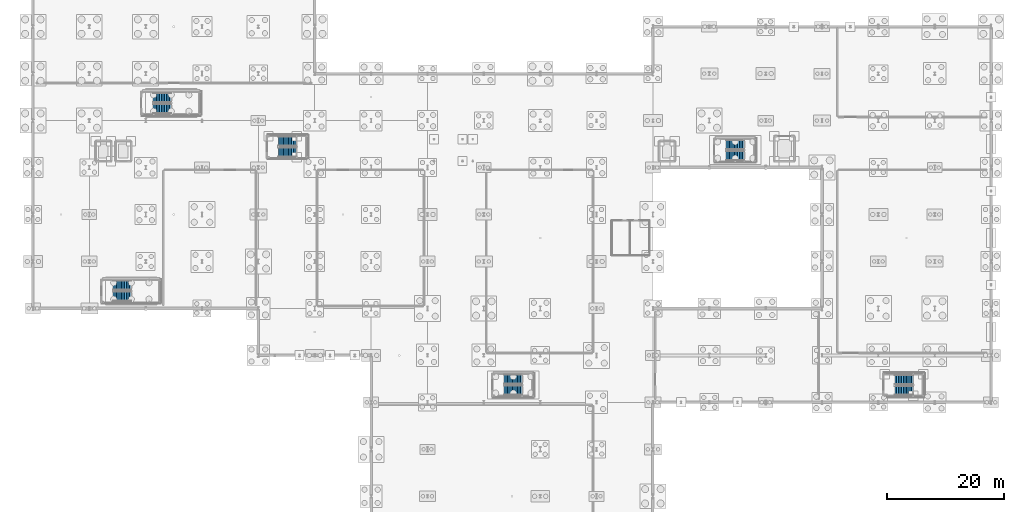
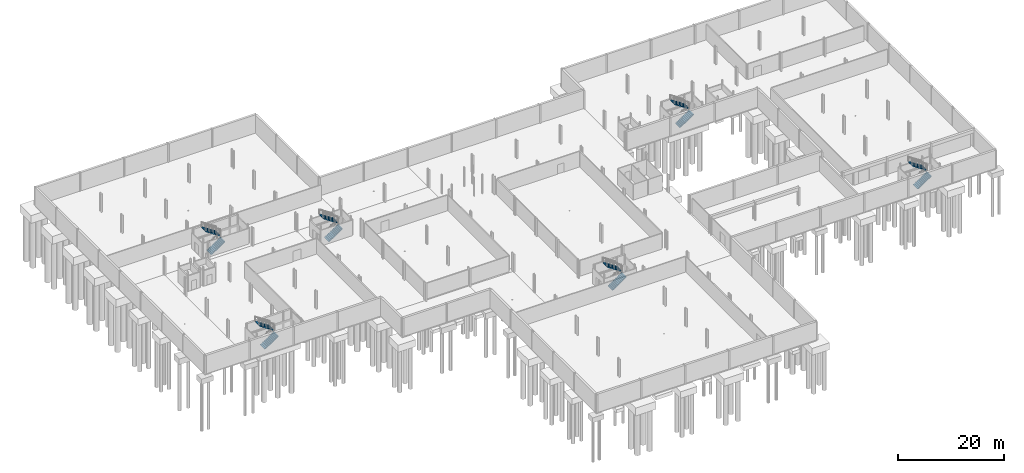
# One storey, part 41 of 47: 12 stair flights, 6 elements without a shape of their own.
"""IFC4 building model written with IfcOpenShell, lengths in metres."""

from ifc_helpers import new_model, si_unit, direction, frame, origin, place, context, subcontext, project, spatial, polyline, outline, extrude, material, type_object, element, aggregate, save


model = new_model("IFC4")

# Units and contexts
model_context = context("Model", 3, precision=1e-05, world=origin(), true_north=direction((0.0, 1.0)))
body_context = subcontext(model_context, "Body", "Model", "MODEL_VIEW")
ifc_project = project(units=[si_unit("LENGTHUNIT", "METRE"), si_unit("AREAUNIT", "SQUARE_METRE"), si_unit("VOLUMEUNIT", "CUBIC_METRE"), si_unit("PLANEANGLEUNIT", "RADIAN"), si_unit("MASSUNIT", "GRAM", prefix="KILO")], contexts=[model_context])

# Site, building, storey
site_placement = place(None, origin())
site = spatial("IfcSite", under=ifc_project, at=site_placement, CompositionType="ELEMENT")
building_placement = place(site_placement, origin())
building = spatial("IfcBuilding", under=site, at=building_placement, Name="Alderhovde Museum", CompositionType="ELEMENT")
storey_placement = place(building_placement, frame((0.0, 0.0, -4.5)))
storey = spatial("IfcBuildingStorey", under=building, at=storey_placement, Name="B1", CompositionType="ELEMENT", Elevation=-4.5)

# Stair, stair flights
ifc_material_1 = material(Name="Concrete C35/45", Category="concrete")
stair_type = type_object("IfcStairType", Name="STR-1500-4500", PredefinedType="HALF_TURN_STAIR", material=ifc_material_1)
stair_1_placement = place(storey_placement, origin())
stair_1 = element("IfcStair", 1, at=stair_1_placement, inside=storey, type_object=stair_type, Name="B1 Escape Stair ST1", PredefinedType="HALF_TURN_STAIR")
ifc_material_2 = material(Name="Concrete C35/45", Category="concrete")
stair_flight_type = type_object("IfcStairFlightType", Name="STF-1500-4500", PredefinedType="STRAIGHT", material=ifc_material_2)
stair_flight_1_placement = place(storey_placement, frame((23.280029296875, 50.0400390625, 0.0), z_axis=(0.0, 0.0, 1.0), x_axis=(1.0, 0.0, 0.0)))
stair_flight_1 = element("IfcStairFlight", 2, at=stair_flight_1_placement, type_object=stair_flight_type, Name="ST1 flight 1", NumberOfRisers=12, NumberOfTreads=11, PredefinedType="STRAIGHT", RiserHeight=0.1875, TreadLength=0.28, context=body_context, shape_type="SweptSolid", body=[
    extrude(outline(polyline([(0.0, 0.0), (0.0, 0.1875), (0.280029296875, 0.1875), (0.280029296875, 0.375), (0.56005859375, 0.375), (0.56005859375, 0.5625), (0.840087890625, 0.5625), (0.840087890625, 0.75), (1.1201171875, 0.75), (1.1201171875, 0.9375), (1.39990234375, 0.9375), (1.39990234375, 1.125), (1.679931640625, 1.125), (1.679931640625, 1.3125), (1.9599609375, 1.3125), (1.9599609375, 1.5), (2.239990234375, 1.5), (2.239990234375, 1.6875), (2.52001953125, 1.6875), (2.52001953125, 1.875), (2.800048828125, 1.875), (2.800048828125, 2.0625), (3.080078125, 2.0625), (3.080078125, 2.25), (3.080078125, 1.882080078125), (0.26953125, 0.0), (0.0, 0.0)])), frame((0.0, 0.83984375, 0.0), z_axis=(0.0, -1.0, 0.0), x_axis=(1.0, 0.0, 0.0)), (0.0, 0.0, 1.0), 1.679931640625),
])
stair_flight_2_placement = place(storey_placement, frame((26.360107421875, 51.919921875, 2.25), z_axis=(0.0, 0.0, 1.0), x_axis=(-1.0, 0.0, 0.0)))
stair_flight_2 = element("IfcStairFlight", 3, at=stair_flight_2_placement, type_object=stair_flight_type, Name="ST1 flight 2", NumberOfRisers=12, NumberOfTreads=11, PredefinedType="STRAIGHT", RiserHeight=0.1875, TreadLength=0.28, context=body_context, shape_type="SweptSolid", body=[
    extrude(outline(polyline([(0.0, 0.0), (0.0, 0.1875), (0.280029296875, 0.1875), (0.280029296875, 0.375), (0.56005859375, 0.375), (0.56005859375, 0.5625), (0.840087890625, 0.5625), (0.840087890625, 0.75), (1.1201171875, 0.75), (1.1201171875, 0.9375), (1.39990234375, 0.9375), (1.39990234375, 1.125), (1.679931640625, 1.125), (1.679931640625, 1.3125), (1.9599609375, 1.3125), (1.9599609375, 1.5), (2.239990234375, 1.5), (2.239990234375, 1.6875), (2.52001953125, 1.6875), (2.52001953125, 1.875), (2.800048828125, 1.875), (2.800048828125, 2.0625), (3.080078125, 2.0625), (3.080078125, 2.25), (3.080078125, 1.882080078125), (0.26953125, 0.0), (0.0, 0.0)])), frame((0.0, 0.83984375, 0.0), z_axis=(0.0, -1.0, 0.0), x_axis=(1.0, 0.0, 0.0)), (0.0, 0.0, 1.0), 1.679931640625),
])
aggregate(stair_1, [stair_flight_1, stair_flight_2])

stair_2_placement = place(storey_placement, origin())
stair_2 = element("IfcStair", 4, at=stair_2_placement, inside=storey, type_object=stair_type, Name="B1 Escape Stair ST2", PredefinedType="HALF_TURN_STAIR")
stair_flight_3_placement = place(storey_placement, frame((30.080078125, 82.0400390625, 0.0), z_axis=(0.0, 0.0, 1.0), x_axis=(1.0, 0.0, 0.0)))
stair_flight_3 = element("IfcStairFlight", 5, at=stair_flight_3_placement, type_object=stair_flight_type, Name="ST2 flight 1", NumberOfRisers=12, NumberOfTreads=11, PredefinedType="STRAIGHT", RiserHeight=0.1875, TreadLength=0.28, context=body_context, shape_type="SweptSolid", body=[
    extrude(outline(polyline([(0.0, 0.0), (0.0, 0.1875), (0.280029296875, 0.1875), (0.280029296875, 0.375), (0.56005859375, 0.375), (0.56005859375, 0.5625), (0.840087890625, 0.5625), (0.840087890625, 0.75), (1.1201171875, 0.75), (1.1201171875, 0.9375), (1.39990234375, 0.9375), (1.39990234375, 1.125), (1.679931640625, 1.125), (1.679931640625, 1.3125), (1.9599609375, 1.3125), (1.9599609375, 1.5), (2.239990234375, 1.5), (2.239990234375, 1.6875), (2.52001953125, 1.6875), (2.52001953125, 1.875), (2.800048828125, 1.875), (2.800048828125, 2.0625), (3.080078125, 2.0625), (3.080078125, 2.25), (3.080078125, 1.882080078125), (0.26953125, 0.0), (0.0, 0.0)])), frame((0.0, 0.83984375, 0.0), z_axis=(0.0, -1.0, 0.0), x_axis=(1.0, 0.0, 0.0)), (0.0, 0.0, 1.0), 1.679931640625),
])
stair_flight_4_placement = place(storey_placement, frame((33.159912109375, 83.919921875, 2.25), z_axis=(0.0, 0.0, 1.0), x_axis=(-1.0, 0.0, 0.0)))
stair_flight_4 = element("IfcStairFlight", 6, at=stair_flight_4_placement, type_object=stair_flight_type, Name="ST2 flight 2", NumberOfRisers=12, NumberOfTreads=11, PredefinedType="STRAIGHT", RiserHeight=0.1875, TreadLength=0.28, context=body_context, shape_type="SweptSolid", body=[
    extrude(outline(polyline([(0.0, 0.0), (0.0, 0.1875), (0.280029296875, 0.1875), (0.280029296875, 0.375), (0.56005859375, 0.375), (0.56005859375, 0.5625), (0.840087890625, 0.5625), (0.840087890625, 0.75), (1.1201171875, 0.75), (1.1201171875, 0.9375), (1.39990234375, 0.9375), (1.39990234375, 1.125), (1.679931640625, 1.125), (1.679931640625, 1.3125), (1.9599609375, 1.3125), (1.9599609375, 1.5), (2.239990234375, 1.5), (2.239990234375, 1.6875), (2.52001953125, 1.6875), (2.52001953125, 1.875), (2.800048828125, 1.875), (2.800048828125, 2.0625), (3.080078125, 2.0625), (3.080078125, 2.25), (3.080078125, 1.882080078125), (0.26953125, 0.0), (0.0, 0.0)])), frame((0.0, 0.83984375, 0.0), z_axis=(0.0, -1.0, 0.0), x_axis=(1.0, 0.0, 0.0)), (0.0, 0.0, 1.0), 1.679931640625),
])
aggregate(stair_2, [stair_flight_3, stair_flight_4])

stair_3_placement = place(storey_placement, origin())
stair_3 = element("IfcStair", 7, at=stair_3_placement, inside=storey, type_object=stair_type, Name="B1 Escape Stair ST3", PredefinedType="HALF_TURN_STAIR")
stair_flight_5_placement = place(storey_placement, frame((89.8798828125, 34.0400390625, 0.0), z_axis=(0.0, 0.0, 1.0), x_axis=(1.0, 0.0, 0.0)))
stair_flight_5 = element("IfcStairFlight", 8, at=stair_flight_5_placement, type_object=stair_flight_type, Name="ST3 flight 1", NumberOfRisers=12, NumberOfTreads=11, PredefinedType="STRAIGHT", RiserHeight=0.1875, TreadLength=0.28, context=body_context, shape_type="SweptSolid", body=[
    extrude(outline(polyline([(0.0, 0.0), (0.0, 0.1875), (0.280029296875, 0.1875), (0.280029296875, 0.375), (0.56005859375, 0.375), (0.56005859375, 0.5625), (0.840087890625, 0.5625), (0.840087890625, 0.75), (1.1201171875, 0.75), (1.1201171875, 0.9375), (1.39990234375, 0.9375), (1.39990234375, 1.125), (1.679931640625, 1.125), (1.679931640625, 1.3125), (1.9599609375, 1.3125), (1.9599609375, 1.5), (2.239990234375, 1.5), (2.239990234375, 1.6875), (2.52001953125, 1.6875), (2.52001953125, 1.875), (2.800048828125, 1.875), (2.800048828125, 2.0625), (3.080078125, 2.0625), (3.080078125, 2.25), (3.080078125, 1.882080078125), (0.26953125, 0.0), (0.0, 0.0)])), frame((0.0, 0.83984375, 0.0), z_axis=(0.0, -1.0, 0.0), x_axis=(1.0, 0.0, 0.0)), (0.0, 0.0, 1.0), 1.679931640625),
])
stair_flight_6_placement = place(storey_placement, frame((92.9599609375, 35.919921875, 2.25), z_axis=(0.0, 0.0, 1.0), x_axis=(-1.0, 0.0, 0.0)))
stair_flight_6 = element("IfcStairFlight", 9, at=stair_flight_6_placement, type_object=stair_flight_type, Name="ST3 flight 2", NumberOfRisers=12, NumberOfTreads=11, PredefinedType="STRAIGHT", RiserHeight=0.1875, TreadLength=0.28, context=body_context, shape_type="SweptSolid", body=[
    extrude(outline(polyline([(0.0, 0.0), (0.0, 0.1875), (0.280029296875, 0.1875), (0.280029296875, 0.375), (0.56005859375, 0.375), (0.56005859375, 0.5625), (0.840087890625, 0.5625), (0.840087890625, 0.75), (1.1201171875, 0.75), (1.1201171875, 0.9375), (1.39990234375, 0.9375), (1.39990234375, 1.125), (1.679931640625, 1.125), (1.679931640625, 1.3125), (1.9599609375, 1.3125), (1.9599609375, 1.5), (2.239990234375, 1.5), (2.239990234375, 1.6875), (2.52001953125, 1.6875), (2.52001953125, 1.875), (2.800048828125, 1.875), (2.800048828125, 2.0625), (3.080078125, 2.0625), (3.080078125, 2.25), (3.080078125, 1.882080078125), (0.26953125, 0.0), (0.0, 0.0)])), frame((0.0, 0.83984375, 0.0), z_axis=(0.0, -1.0, 0.0), x_axis=(1.0, 0.0, 0.0)), (0.0, 0.0, 1.0), 1.679931640625),
])
aggregate(stair_3, [stair_flight_5, stair_flight_6])

stair_4_placement = place(storey_placement, origin())
stair_4 = element("IfcStair", 10, at=stair_4_placement, inside=storey, type_object=stair_type, Name="B1 Escape Stair ST4", PredefinedType="HALF_TURN_STAIR")
stair_flight_7_placement = place(storey_placement, frame((127.679931640625, 74.0400390625, 0.0), z_axis=(0.0, 0.0, 1.0), x_axis=(1.0, 0.0, 0.0)))
stair_flight_7 = element("IfcStairFlight", 11, at=stair_flight_7_placement, type_object=stair_flight_type, Name="ST4 flight 1", NumberOfRisers=12, NumberOfTreads=11, PredefinedType="STRAIGHT", RiserHeight=0.1875, TreadLength=0.28, context=body_context, shape_type="SweptSolid", body=[
    extrude(outline(polyline([(0.0, 0.0), (0.0, 0.1875), (0.280029296875, 0.1875), (0.280029296875, 0.375), (0.56005859375, 0.375), (0.56005859375, 0.5625), (0.840087890625, 0.5625), (0.840087890625, 0.75), (1.1201171875, 0.75), (1.1201171875, 0.9375), (1.39990234375, 0.9375), (1.39990234375, 1.125), (1.679931640625, 1.125), (1.679931640625, 1.3125), (1.9599609375, 1.3125), (1.9599609375, 1.5), (2.239990234375, 1.5), (2.239990234375, 1.6875), (2.52001953125, 1.6875), (2.52001953125, 1.875), (2.800048828125, 1.875), (2.800048828125, 2.0625), (3.080078125, 2.0625), (3.080078125, 2.25), (3.080078125, 1.882080078125), (0.26953125, 0.0), (0.0, 0.0)])), frame((0.0, 0.83984375, 0.0), z_axis=(0.0, -1.0, 0.0), x_axis=(1.0, 0.0, 0.0)), (0.0, 0.0, 1.0), 1.679931640625),
])
stair_flight_8_placement = place(storey_placement, frame((130.760009765625, 75.919921875, 2.25), z_axis=(0.0, 0.0, 1.0), x_axis=(-1.0, 0.0, 0.0)))
stair_flight_8 = element("IfcStairFlight", 12, at=stair_flight_8_placement, type_object=stair_flight_type, Name="ST4 flight 2", NumberOfRisers=12, NumberOfTreads=11, PredefinedType="STRAIGHT", RiserHeight=0.1875, TreadLength=0.28, context=body_context, shape_type="SweptSolid", body=[
    extrude(outline(polyline([(0.0, 0.0), (0.0, 0.1875), (0.280029296875, 0.1875), (0.280029296875, 0.375), (0.56005859375, 0.375), (0.56005859375, 0.5625), (0.840087890625, 0.5625), (0.840087890625, 0.75), (1.1201171875, 0.75), (1.1201171875, 0.9375), (1.39990234375, 0.9375), (1.39990234375, 1.125), (1.679931640625, 1.125), (1.679931640625, 1.3125), (1.9599609375, 1.3125), (1.9599609375, 1.5), (2.239990234375, 1.5), (2.239990234375, 1.6875), (2.52001953125, 1.6875), (2.52001953125, 1.875), (2.800048828125, 1.875), (2.800048828125, 2.0625), (3.080078125, 2.0625), (3.080078125, 2.25), (3.080078125, 1.882080078125), (0.26953125, 0.0), (0.0, 0.0)])), frame((0.0, 0.83984375, 0.0), z_axis=(0.0, -1.0, 0.0), x_axis=(1.0, 0.0, 0.0)), (0.0, 0.0, 1.0), 1.679931640625),
])
aggregate(stair_4, [stair_flight_7, stair_flight_8])

stair_5_placement = place(storey_placement, origin())
stair_5 = element("IfcStair", 13, at=stair_5_placement, inside=storey, type_object=stair_type, Name="B1 Gallery Stair ST6", PredefinedType="HALF_TURN_STAIR")
stair_flight_9_placement = place(storey_placement, frame((51.43994140625, 74.6201171875, 0.0), z_axis=(0.0, 0.0, 1.0), x_axis=(1.0, 0.0, 0.0)))
stair_flight_9 = element("IfcStairFlight", 14, at=stair_flight_9_placement, type_object=stair_flight_type, Name="ST6 flight 1", NumberOfRisers=12, NumberOfTreads=11, PredefinedType="STRAIGHT", RiserHeight=0.1875, TreadLength=0.28, context=body_context, shape_type="SweptSolid", body=[
    extrude(outline(polyline([(0.0, 0.0), (0.0, 0.1875), (0.280029296875, 0.1875), (0.280029296875, 0.375), (0.56005859375, 0.375), (0.56005859375, 0.5625), (0.840087890625, 0.5625), (0.840087890625, 0.75), (1.1201171875, 0.75), (1.1201171875, 0.9375), (1.39990234375, 0.9375), (1.39990234375, 1.125), (1.679931640625, 1.125), (1.679931640625, 1.3125), (1.9599609375, 1.3125), (1.9599609375, 1.5), (2.239990234375, 1.5), (2.239990234375, 1.6875), (2.52001953125, 1.6875), (2.52001953125, 1.875), (2.800048828125, 1.875), (2.800048828125, 2.0625), (3.080078125, 2.0625), (3.080078125, 2.25), (3.080078125, 1.882080078125), (0.26953125, 0.0), (0.0, 0.0)])), frame((0.0, 0.81982421875, 0.0), z_axis=(0.0, -1.0, 0.0), x_axis=(1.0, 0.0, 0.0)), (0.0, 0.0, 1.0), 1.639892578125),
])
stair_flight_10_placement = place(storey_placement, frame((54.52001953125, 76.4599609375, 2.25), z_axis=(0.0, 0.0, 1.0), x_axis=(-1.0, 0.0, 0.0)))
stair_flight_10 = element("IfcStairFlight", 15, at=stair_flight_10_placement, type_object=stair_flight_type, Name="ST6 flight 2", NumberOfRisers=12, NumberOfTreads=11, PredefinedType="STRAIGHT", RiserHeight=0.1875, TreadLength=0.28, context=body_context, shape_type="SweptSolid", body=[
    extrude(outline(polyline([(0.0, 0.0), (0.0, 0.1875), (0.280029296875, 0.1875), (0.280029296875, 0.375), (0.56005859375, 0.375), (0.56005859375, 0.5625), (0.840087890625, 0.5625), (0.840087890625, 0.75), (1.1201171875, 0.75), (1.1201171875, 0.9375), (1.39990234375, 0.9375), (1.39990234375, 1.125), (1.679931640625, 1.125), (1.679931640625, 1.3125), (1.9599609375, 1.3125), (1.9599609375, 1.5), (2.239990234375, 1.5), (2.239990234375, 1.6875), (2.52001953125, 1.6875), (2.52001953125, 1.875), (2.800048828125, 1.875), (2.800048828125, 2.0625), (3.080078125, 2.0625), (3.080078125, 2.25), (3.080078125, 1.882080078125), (0.26953125, 0.0), (0.0, 0.0)])), frame((0.0, 0.81982421875, 0.0), z_axis=(0.0, -1.0, 0.0), x_axis=(1.0, 0.0, 0.0)), (0.0, 0.0, 1.0), 1.639892578125),
])
aggregate(stair_5, [stair_flight_9, stair_flight_10])

stair_6_placement = place(storey_placement, origin())
stair_6 = element("IfcStair", 16, at=stair_6_placement, inside=storey, type_object=stair_type, Name="B1 East Wing Escape Stair ST7", PredefinedType="HALF_TURN_STAIR")
stair_flight_11_placement = place(storey_placement, frame((156.43994140625, 34.02001953125, 0.0), z_axis=(0.0, 0.0, 1.0), x_axis=(1.0, 0.0, 0.0)))
stair_flight_11 = element("IfcStairFlight", 17, at=stair_flight_11_placement, type_object=stair_flight_type, Name="ST7 flight 1", NumberOfRisers=12, NumberOfTreads=11, PredefinedType="STRAIGHT", RiserHeight=0.1875, TreadLength=0.28, context=body_context, shape_type="SweptSolid", body=[
    extrude(outline(polyline([(0.0, 0.0), (0.0, 0.1875), (0.280029296875, 0.1875), (0.280029296875, 0.375), (0.56005859375, 0.375), (0.56005859375, 0.5625), (0.840087890625, 0.5625), (0.840087890625, 0.75), (1.1201171875, 0.75), (1.1201171875, 0.9375), (1.39990234375, 0.9375), (1.39990234375, 1.125), (1.679931640625, 1.125), (1.679931640625, 1.3125), (1.9599609375, 1.3125), (1.9599609375, 1.5), (2.239990234375, 1.5), (2.239990234375, 1.6875), (2.52001953125, 1.6875), (2.52001953125, 1.875), (2.800048828125, 1.875), (2.800048828125, 2.0625), (3.080078125, 2.0625), (3.080078125, 2.25), (3.080078125, 1.882080078125), (0.26953125, 0.0), (0.0, 0.0)])), frame((0.0, 0.81982421875, 0.0), z_axis=(0.0, -1.0, 0.0), x_axis=(1.0, 0.0, 0.0)), (0.0, 0.0, 1.0), 1.639892578125),
])
stair_flight_12_placement = place(storey_placement, frame((159.52001953125, 35.860107421875, 2.25), z_axis=(0.0, 0.0, 1.0), x_axis=(-1.0, 0.0, 0.0)))
stair_flight_12 = element("IfcStairFlight", 18, at=stair_flight_12_placement, type_object=stair_flight_type, Name="ST7 flight 2", NumberOfRisers=12, NumberOfTreads=11, PredefinedType="STRAIGHT", RiserHeight=0.1875, TreadLength=0.28, context=body_context, shape_type="SweptSolid", body=[
    extrude(outline(polyline([(0.0, 0.0), (0.0, 0.1875), (0.280029296875, 0.1875), (0.280029296875, 0.375), (0.56005859375, 0.375), (0.56005859375, 0.5625), (0.840087890625, 0.5625), (0.840087890625, 0.75), (1.1201171875, 0.75), (1.1201171875, 0.9375), (1.39990234375, 0.9375), (1.39990234375, 1.125), (1.679931640625, 1.125), (1.679931640625, 1.3125), (1.9599609375, 1.3125), (1.9599609375, 1.5), (2.239990234375, 1.5), (2.239990234375, 1.6875), (2.52001953125, 1.6875), (2.52001953125, 1.875), (2.800048828125, 1.875), (2.800048828125, 2.0625), (3.080078125, 2.0625), (3.080078125, 2.25), (3.080078125, 1.882080078125), (0.26953125, 0.0), (0.0, 0.0)])), frame((0.0, 0.81982421875, 0.0), z_axis=(0.0, -1.0, 0.0), x_axis=(1.0, 0.0, 0.0)), (0.0, 0.0, 1.0), 1.639892578125),
])
aggregate(stair_6, [stair_flight_11, stair_flight_12])

save(model, "model.ifc")
